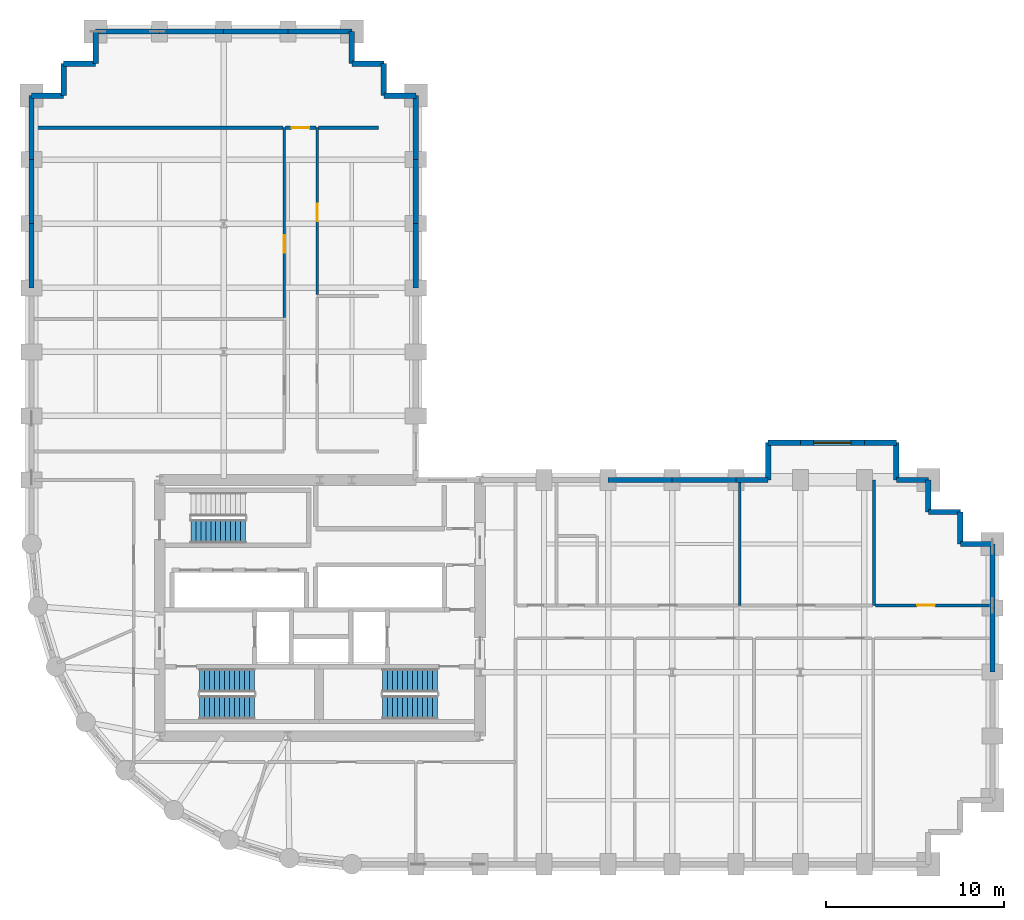
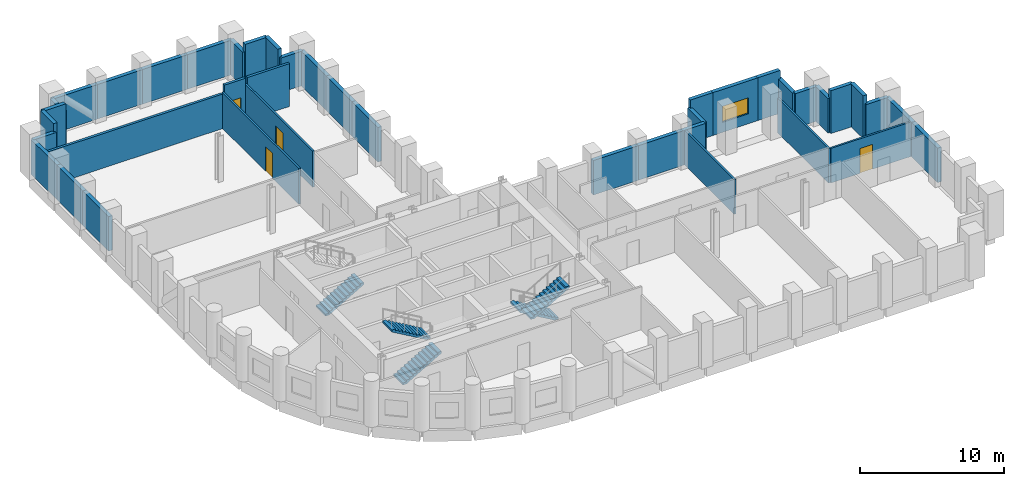
# One storey, part 6 of 8: 41 walls, 5 stair flights, 4 doors, 1 window, 5 openings, 3 elements without a shape of their own.
"""IFC4 building model written with IfcOpenShell, lengths in metres."""

from ifc_helpers import new_model, si_unit, direction, frame, frame_2d, origin, place, context, subcontext, project, spatial, polyline, rectangle, outline, extrude, material, layer, layer_set, type_object, element, fill, aggregate, save


model = new_model("IFC4")

# Units and contexts
model_context = context("Model", 3, precision=1e-05, world=origin(), true_north=direction((0.0, 1.0)))
body_context = subcontext(model_context, "Body", "Model", "MODEL_VIEW")
ifc_project = project(units=[si_unit("LENGTHUNIT", "METRE"), si_unit("AREAUNIT", "SQUARE_METRE"), si_unit("VOLUMEUNIT", "CUBIC_METRE"), si_unit("PLANEANGLEUNIT", "RADIAN"), si_unit("MASSUNIT", "GRAM", prefix="KILO")], contexts=[model_context])

# Site, building, storey
site_placement = place(None, origin())
site = spatial("IfcSite", under=ifc_project, at=site_placement, CompositionType="ELEMENT")
building_placement = place(site_placement, origin())
building = spatial("IfcBuilding", under=site, at=building_placement, Name="Solnavia Interchange Tower", CompositionType="ELEMENT")
storey_placement = place(building_placement, frame((0.0, 0.0, 43.5)))
storey = spatial("IfcBuildingStorey", under=building, at=storey_placement, Name="L10", CompositionType="ELEMENT", Elevation=43.5)

# Walls
ifc_material_1 = material(Name="Gypsum Acoustic Twin-Stud & Mineral Wool", Category="gypsum")
ifc_layer_1 = layer(ifc_material_1, 0.199951171875)
ifc_layer_set_1 = layer_set([ifc_layer_1], Name="Gypsum Acoustic Twin-Stud & Mineral Wool")
wall_type_1 = type_object("IfcWallType", Name="Wall-ApartmentParty-200", PredefinedType="PARTITIONING", material=ifc_layer_set_1)
wall_1_placement = place(storey_placement, frame((7.35400390625, 45.0, 0.0), z_axis=(0.0, 0.0, 1.0), x_axis=(1.0, 0.0, 0.0)))
element("IfcWall", 1, at=wall_1_placement, inside=storey, type_object=wall_type_1, Name="PTW-L10-38 Interior partition wall", PredefinedType="PARTITIONING", context=body_context, shape_type="SweptSolid", body=[
    extrude(rectangle(XDim=13.967041015625, YDim=0.199951171875, at=frame_2d((6.9833984375, 0.0))), origin(), (0.0, 0.0, 1.0), 2.929931640625),
])
wall_2_placement = place(storey_placement, frame((23.3291015625, 45.0, 0.0), z_axis=(0.0, 0.0, 1.0), x_axis=(1.0, 0.0, 0.0)))
element("IfcWall", 2, at=wall_2_placement, inside=storey, type_object=wall_type_1, Name="PTW-L10-39 Interior partition wall", PredefinedType="PARTITIONING", context=body_context, shape_type="SweptSolid", body=[
    extrude(rectangle(XDim=3.370849609375, YDim=0.199951171875, at=frame_2d((1.685546875, 0.0))), origin(), (0.0, 0.0, 1.0), 3.635009765625),
])

# Wall, opening, door
wall_3_placement = place(storey_placement, frame((21.47900390625, 45.0, 0.0), z_axis=(0.0, 0.0, 1.0), x_axis=(1.0, 0.0, 0.0)))
wall_3 = element("IfcWall", 3, at=wall_3_placement, inside=storey, type_object=wall_type_1, Name="PTW-L10-40 Interior partition wall", PredefinedType="PARTITIONING", context=body_context, shape_type="SweptSolid", body=[
    extrude(rectangle(XDim=1.69189453125, YDim=0.199951171875, at=frame_2d((0.845947265625, 0.0))), origin(), (0.0, 0.0, 1.0), 3.635009765625),
])
opening_1_placement = place(wall_3_placement, frame((0.339111328125, 0.0, 0.0)))
opening_1 = element("IfcOpeningElement", 4, at=opening_1_placement, cuts=wall_3, Name="Opening DR-06", PredefinedType="OPENING", context=body_context, shape_type="SweptSolid", body=[
    extrude(rectangle(XDim=1.0, YDim=2.10009765625, at=frame_2d((0.5, 1.050048828125))), frame((0.0, 0.10986328125, 0.0), z_axis=(0.0, -1.0, 0.0), x_axis=(1.0, 0.0, 0.0)), (0.0, 0.0, 1.0), 0.219970703125),
])
ifc_material_2 = material(Name="Engineered Timber Acoustic Fire Door", Category="wood")
door_type_1 = type_object("IfcDoorType", Name="Door-FlatEntry-1000x2100", OperationType="SINGLE_SWING_LEFT", PredefinedType="DOOR", material=ifc_material_2)
door_1_placement = place(opening_1_placement, origin())
door_1 = element("IfcDoor", 5, at=door_1_placement, inside=storey, type_object=door_type_1, Name="DR-L10-19 Interior room door", OperationType="SINGLE_SWING_LEFT", OverallHeight=2.10009765625, OverallWidth=1.0, PredefinedType="DOOR", context=body_context, shape_type="SweptSolid", body=[
    extrude(rectangle(XDim=1.0, YDim=2.10009765625, at=frame_2d((0.5, 1.050048828125))), frame((0.0, 0.02490234375, 0.0), z_axis=(0.0, -1.0, 0.0), x_axis=(1.0, 0.0, 0.0)), (0.0, 0.0, 1.0), 0.050048828125),
])
fill(opening_1, door_1)

# Walls
ifc_material_3 = material(Name="Concrete C40/50", Category="concrete")
ifc_layer_2 = layer(ifc_material_3, 0.300048828125)
ifc_layer_set_2 = layer_set([ifc_layer_2], Name="Concrete C40/50")
wall_type_2 = type_object("IfcWallType", Name="Wall-ExtSpandrel-300", PredefinedType="STANDARD", material=ifc_layer_set_2)
for number, where, z_axis, x_axis, name in (
    (6, (61.199951171875, 18.0, 0.0), (0.0, 0.0, 1.0), (0.0, -1.0, 0.0), "EXW-L10-16 Exterior precast spandrel wall"),
    (7, (61.199951171875, 21.60009765625, 0.0), (0.0, 0.0, 1.0), (0.0, -1.0, 0.0), "EXW-L10-17 Exterior precast spandrel wall"),
):
    element("IfcWall", number, at=place(storey_placement, frame(where, z_axis=z_axis, x_axis=x_axis)), inside=storey, type_object=wall_type_2, Name=name, PredefinedType="STANDARD", context=body_context, shape_type="SweptSolid", body=[
        extrude(rectangle(XDim=3.60009765625, YDim=0.300048828125, at=frame_2d((1.800048828125, 0.0))), origin(), (0.0, 0.0, 1.0), 2.929931640625),
    ])
wall_4_placement = place(storey_placement, frame((61.199951171875, 21.60009765625, 0.0), z_axis=(0.0, 0.0, 1.0), x_axis=(-1.0, 0.0, 0.0)))
element("IfcWall", 8, at=wall_4_placement, inside=storey, type_object=wall_type_2, Name="EXW-L10-18 Exterior precast spandrel wall", PredefinedType="STANDARD", context=body_context, shape_type="SweptSolid", body=[
    extrude(rectangle(XDim=1.800048828125, YDim=0.300048828125, at=frame_2d((0.89990234375, 0.0))), origin(), (0.0, 0.0, 1.0), 2.929931640625),
])
for number, where, z_axis, x_axis, name in (
    (9, (59.39990234375, 23.39990234375, 0.0), (0.0, 0.0, 1.0), (0.0, -1.0, 0.0), "EXW-L10-19 Exterior precast spandrel wall"),
    (10, (57.60009765625, 23.39990234375, 0.0), (0.0, 0.0, 1.0), (1.0, 0.0, 0.0), "EXW-L10-20 Exterior precast spandrel wall"),
):
    element("IfcWall", number, at=place(storey_placement, frame(where, z_axis=z_axis, x_axis=x_axis)), inside=storey, type_object=wall_type_2, Name=name, PredefinedType="STANDARD", context=body_context, shape_type="SweptSolid", body=[
        extrude(rectangle(XDim=1.7998046875, YDim=0.300048828125, at=frame_2d((0.89990234375, 0.0))), origin(), (0.0, 0.0, 1.0), 3.635009765625),
    ])
for number, where, z_axis, x_axis, name in (
    (11, (57.60009765625, 25.199951171875, 0.0), (0.0, 0.0, 1.0), (0.0, -1.0, 0.0), "EXW-L10-21 Exterior precast spandrel wall"),
    (12, (55.800048828125, 25.199951171875, 0.0), (0.0, 0.0, 1.0), (1.0, 0.0, 0.0), "EXW-L10-22 Exterior precast spandrel wall"),
):
    element("IfcWall", number, at=place(storey_placement, frame(where, z_axis=z_axis, x_axis=x_axis)), inside=storey, type_object=wall_type_2, Name=name, PredefinedType="STANDARD", context=body_context, shape_type="SweptSolid", body=[
        extrude(rectangle(XDim=1.800048828125, YDim=0.300048828125, at=frame_2d((0.89990234375, 0.0))), origin(), (0.0, 0.0, 1.0), 2.929931640625),
    ])
wall_5_placement = place(storey_placement, frame((55.800048828125, 27.300048828125, 0.0), z_axis=(0.0, 0.0, 1.0), x_axis=(0.0, -1.0, 0.0)))
element("IfcWall", 13, at=wall_5_placement, inside=storey, type_object=wall_type_2, Name="EXW-L10-23 Exterior precast spandrel wall", PredefinedType="STANDARD", context=body_context, shape_type="SweptSolid", body=[
    extrude(rectangle(XDim=2.10009765625, YDim=0.300048828125, at=frame_2d((1.050048828125, 0.0))), origin(), (0.0, 0.0, 1.0), 2.929931640625),
])
wall_6_placement = place(storey_placement, frame((54.0, 27.300048828125, 0.0), z_axis=(0.0, 0.0, 1.0), x_axis=(1.0, 0.0, 0.0)))
element("IfcWall", 14, at=wall_6_placement, inside=storey, type_object=wall_type_2, Name="EXW-L10-24 Exterior precast spandrel wall", PredefinedType="STANDARD", context=body_context, shape_type="SweptSolid", body=[
    extrude(rectangle(XDim=1.800048828125, YDim=0.300048828125, at=frame_2d((0.89990234375, 0.0))), origin(), (0.0, 0.0, 1.0), 3.635009765625),
])

# Wall, opening, window
wall_7_placement = place(storey_placement, frame((50.39990234375, 27.300048828125, 0.0), z_axis=(0.0, 0.0, 1.0), x_axis=(1.0, 0.0, 0.0)))
wall_7 = element("IfcWall", 15, at=wall_7_placement, inside=storey, type_object=wall_type_2, Name="EXW-L10-25 Exterior precast spandrel wall", PredefinedType="STANDARD", context=body_context, shape_type="SweptSolid", body=[
    extrude(rectangle(XDim=3.60009765625, YDim=0.300048828125, at=frame_2d((1.800048828125, 0.0))), origin(), (0.0, 0.0, 1.0), 3.635009765625),
])
opening_2_placement = place(wall_7_placement, frame((0.75, 0.0, 0.85009765625)))
opening_2 = element("IfcOpeningElement", 16, at=opening_2_placement, cuts=wall_7, Name="Opening WIN-01", PredefinedType="OPENING", context=body_context, shape_type="SweptSolid", body=[
    extrude(rectangle(XDim=2.10009765625, YDim=1.35009765625, at=frame_2d((1.050048828125, 0.675048828125))), frame((0.0, 0.16015625, 0.0), z_axis=(0.0, -1.0, 0.0), x_axis=(1.0, 0.0, 0.0)), (0.0, 0.0, 1.0), 0.320068359375),
])
ifc_material_4 = material(Name="Thermal-Break Aluminium & Low-E Glass", Category="aluminium")
window_type = type_object("IfcWindowType", Name="Window-Ribbon-2100x1350", PartitioningType="SINGLE_PANEL", PredefinedType="WINDOW", material=ifc_material_4)
window_placement = place(opening_2_placement, origin())
window = element("IfcWindow", 17, at=window_placement, inside=storey, type_object=window_type, Name="WIN-L10-25 Facade ribbon window", OverallHeight=1.35009765625, OverallWidth=2.10009765625, PartitioningType="SINGLE_PANEL", PredefinedType="WINDOW", context=body_context, shape_type="SweptSolid", body=[
    extrude(rectangle(XDim=2.10009765625, YDim=1.35009765625, at=frame_2d((1.050048828125, 0.675048828125))), frame((0.0, 0.030029296875, 0.0), z_axis=(0.0, -1.0, 0.0), x_axis=(1.0, 0.0, 0.0)), (0.0, 0.0, 1.0), 0.06005859375),
])
fill(opening_2, window)

# Walls
wall_8_placement = place(storey_placement, frame((48.60009765625, 27.300048828125, 0.0), z_axis=(0.0, 0.0, 1.0), x_axis=(1.0, 0.0, 0.0)))
element("IfcWall", 18, at=wall_8_placement, inside=storey, type_object=wall_type_2, Name="EXW-L10-26 Exterior precast spandrel wall", PredefinedType="STANDARD", context=body_context, shape_type="SweptSolid", body=[
    extrude(rectangle(XDim=1.7998046875, YDim=0.300048828125, at=frame_2d((0.89990234375, 0.0))), origin(), (0.0, 0.0, 1.0), 3.635009765625),
])
wall_9_placement = place(storey_placement, frame((48.60009765625, 27.300048828125, 0.0), z_axis=(0.0, 0.0, 1.0), x_axis=(0.0, -1.0, 0.0)))
element("IfcWall", 19, at=wall_9_placement, inside=storey, type_object=wall_type_2, Name="EXW-L10-27 Exterior precast spandrel wall", PredefinedType="STANDARD", context=body_context, shape_type="SweptSolid", body=[
    extrude(rectangle(XDim=2.10009765625, YDim=0.300048828125, at=frame_2d((1.050048828125, 0.0))), origin(), (0.0, 0.0, 1.0), 2.929931640625),
])
wall_10_placement = place(storey_placement, frame((46.800048828125, 25.199951171875, 0.0), z_axis=(0.0, 0.0, 1.0), x_axis=(1.0, 0.0, 0.0)))
element("IfcWall", 20, at=wall_10_placement, inside=storey, type_object=wall_type_2, Name="EXW-L10-28 Exterior precast spandrel wall", PredefinedType="STANDARD", context=body_context, shape_type="SweptSolid", body=[
    extrude(rectangle(XDim=1.800048828125, YDim=0.300048828125, at=frame_2d((0.89990234375, 0.0))), origin(), (0.0, 0.0, 1.0), 2.929931640625),
])
wall_11_placement = place(storey_placement, frame((43.199951171875, 25.199951171875, 0.0), z_axis=(0.0, 0.0, 1.0), x_axis=(1.0, 0.0, 0.0)))
element("IfcWall", 21, at=wall_11_placement, inside=storey, type_object=wall_type_2, Name="EXW-L10-29 Exterior precast spandrel wall", PredefinedType="STANDARD", context=body_context, shape_type="SweptSolid", body=[
    extrude(rectangle(XDim=3.60009765625, YDim=0.300048828125, at=frame_2d((1.800048828125, 0.0))), origin(), (0.0, 0.0, 1.0), 2.929931640625),
])
wall_12_placement = place(storey_placement, frame((39.60009765625, 25.199951171875, 0.0), z_axis=(0.0, 0.0, 1.0), x_axis=(1.0, 0.0, 0.0)))
element("IfcWall", 22, at=wall_12_placement, inside=storey, type_object=wall_type_2, Name="EXW-L10-30 Exterior precast spandrel wall", PredefinedType="STANDARD", context=body_context, shape_type="SweptSolid", body=[
    extrude(rectangle(XDim=3.599853515625, YDim=0.300048828125, at=frame_2d((1.7998046875, 0.0))), origin(), (0.0, 0.0, 1.0), 2.929931640625),
])
wall_13_placement = place(storey_placement, frame((28.800048828125, 36.0, 0.0), z_axis=(0.0, 0.0, 1.0), x_axis=(0.0, 1.0, 0.0)))
element("IfcWall", 23, at=wall_13_placement, inside=storey, type_object=wall_type_2, Name="EXW-L10-37 Exterior precast spandrel wall", PredefinedType="STANDARD", context=body_context, shape_type="SweptSolid", body=[
    extrude(rectangle(XDim=3.60009765625, YDim=0.300048828125, at=frame_2d((1.800048828125, 0.0))), origin(), (0.0, 0.0, 1.0), 2.929931640625),
])
wall_14_placement = place(storey_placement, frame((28.800048828125, 39.60009765625, 0.0), z_axis=(0.0, 0.0, 1.0), x_axis=(0.0, 1.0, 0.0)))
element("IfcWall", 24, at=wall_14_placement, inside=storey, type_object=wall_type_2, Name="EXW-L10-38 Exterior precast spandrel wall", PredefinedType="STANDARD", context=body_context, shape_type="SweptSolid", body=[
    extrude(rectangle(XDim=3.599853515625, YDim=0.300048828125, at=frame_2d((1.7998046875, 0.0))), origin(), (0.0, 0.0, 1.0), 2.929931640625),
])
wall_15_placement = place(storey_placement, frame((28.800048828125, 43.199951171875, 0.0), z_axis=(0.0, 0.0, 1.0), x_axis=(0.0, 1.0, 0.0)))
element("IfcWall", 25, at=wall_15_placement, inside=storey, type_object=wall_type_2, Name="EXW-L10-39 Exterior precast spandrel wall", PredefinedType="STANDARD", context=body_context, shape_type="SweptSolid", body=[
    extrude(rectangle(XDim=3.60009765625, YDim=0.300048828125, at=frame_2d((1.800048828125, 0.0))), origin(), (0.0, 0.0, 1.0), 2.929931640625),
])
wall_16_placement = place(storey_placement, frame((27.0, 46.800048828125, 0.0), z_axis=(0.0, 0.0, 1.0), x_axis=(1.0, 0.0, 0.0)))
element("IfcWall", 26, at=wall_16_placement, inside=storey, type_object=wall_type_2, Name="EXW-L10-40 Exterior precast spandrel wall", PredefinedType="STANDARD", context=body_context, shape_type="SweptSolid", body=[
    extrude(rectangle(XDim=1.800048828125, YDim=0.300048828125, at=frame_2d((0.89990234375, 0.0))), origin(), (0.0, 0.0, 1.0), 2.929931640625),
])
for number, where, z_axis, x_axis, name in (
    (27, (27.0, 46.800048828125, 0.0), (0.0, 0.0, 1.0), (0.0, 1.0, 0.0), "EXW-L10-41 Exterior precast spandrel wall"),
    (28, (25.199951171875, 48.60009765625, 0.0), (0.0, 0.0, 1.0), (1.0, 0.0, 0.0), "EXW-L10-42 Exterior precast spandrel wall"),
):
    element("IfcWall", number, at=place(storey_placement, frame(where, z_axis=z_axis, x_axis=x_axis)), inside=storey, type_object=wall_type_2, Name=name, PredefinedType="STANDARD", context=body_context, shape_type="SweptSolid", body=[
        extrude(rectangle(XDim=1.800048828125, YDim=0.300048828125, at=frame_2d((0.89990234375, 0.0))), origin(), (0.0, 0.0, 1.0), 3.635009765625),
    ])
wall_17_placement = place(storey_placement, frame((25.199951171875, 48.60009765625, 0.0), z_axis=(0.0, 0.0, 1.0), x_axis=(0.0, 1.0, 0.0)))
element("IfcWall", 29, at=wall_17_placement, inside=storey, type_object=wall_type_2, Name="EXW-L10-43 Exterior precast spandrel wall", PredefinedType="STANDARD", context=body_context, shape_type="SweptSolid", body=[
    extrude(rectangle(XDim=1.7998046875, YDim=0.300048828125, at=frame_2d((0.89990234375, 0.0))), origin(), (0.0, 0.0, 1.0), 2.929931640625),
])
wall_18_placement = place(storey_placement, frame((21.60009765625, 50.39990234375, 0.0), z_axis=(0.0, 0.0, 1.0), x_axis=(1.0, 0.0, 0.0)))
element("IfcWall", 30, at=wall_18_placement, inside=storey, type_object=wall_type_2, Name="EXW-L10-44 Exterior precast spandrel wall", PredefinedType="STANDARD", context=body_context, shape_type="SweptSolid", body=[
    extrude(rectangle(XDim=3.599853515625, YDim=0.300048828125, at=frame_2d((1.7998046875, 0.0))), origin(), (0.0, 0.0, 1.0), 2.929931640625),
])
for number, where, z_axis, x_axis, name in (
    (31, (18.0, 50.39990234375, 0.0), (0.0, 0.0, 1.0), (1.0, 0.0, 0.0), "EXW-L10-45 Exterior precast spandrel wall"),
    (32, (14.39990234375, 50.39990234375, 0.0), (0.0, 0.0, 1.0), (1.0, 0.0, 0.0), "EXW-L10-46 Exterior precast spandrel wall"),
):
    element("IfcWall", number, at=place(storey_placement, frame(where, z_axis=z_axis, x_axis=x_axis)), inside=storey, type_object=wall_type_2, Name=name, PredefinedType="STANDARD", context=body_context, shape_type="SweptSolid", body=[
        extrude(rectangle(XDim=3.60009765625, YDim=0.300048828125, at=frame_2d((1.800048828125, 0.0))), origin(), (0.0, 0.0, 1.0), 2.929931640625),
    ])
wall_19_placement = place(storey_placement, frame((10.800048828125, 50.39990234375, 0.0), z_axis=(0.0, 0.0, 1.0), x_axis=(1.0, 0.0, 0.0)))
element("IfcWall", 33, at=wall_19_placement, inside=storey, type_object=wall_type_2, Name="EXW-L10-47 Exterior precast spandrel wall", PredefinedType="STANDARD", context=body_context, shape_type="SweptSolid", body=[
    extrude(rectangle(XDim=3.599853515625, YDim=0.300048828125, at=frame_2d((1.7998046875, 0.0))), origin(), (0.0, 0.0, 1.0), 2.929931640625),
])
wall_20_placement = place(storey_placement, frame((10.800048828125, 48.60009765625, 0.0), z_axis=(0.0, 0.0, 1.0), x_axis=(0.0, 1.0, 0.0)))
element("IfcWall", 34, at=wall_20_placement, inside=storey, type_object=wall_type_2, Name="EXW-L10-48 Exterior precast spandrel wall", PredefinedType="STANDARD", context=body_context, shape_type="SweptSolid", body=[
    extrude(rectangle(XDim=1.7998046875, YDim=0.300048828125, at=frame_2d((0.89990234375, 0.0))), origin(), (0.0, 0.0, 1.0), 2.929931640625),
])
for number, where, z_axis, x_axis, name in (
    (35, (9.0, 48.60009765625, 0.0), (0.0, 0.0, 1.0), (1.0, 0.0, 0.0), "EXW-L10-49 Exterior precast spandrel wall"),
    (36, (9.0, 46.800048828125, 0.0), (0.0, 0.0, 1.0), (0.0, 1.0, 0.0), "EXW-L10-50 Exterior precast spandrel wall"),
):
    element("IfcWall", number, at=place(storey_placement, frame(where, z_axis=z_axis, x_axis=x_axis)), inside=storey, type_object=wall_type_2, Name=name, PredefinedType="STANDARD", context=body_context, shape_type="SweptSolid", body=[
        extrude(rectangle(XDim=1.800048828125, YDim=0.300048828125, at=frame_2d((0.89990234375, 0.0))), origin(), (0.0, 0.0, 1.0), 3.635009765625),
    ])
wall_21_placement = place(storey_placement, frame((7.199951171875, 46.800048828125, 0.0), z_axis=(0.0, 0.0, 1.0), x_axis=(1.0, 0.0, 0.0)))
element("IfcWall", 37, at=wall_21_placement, inside=storey, type_object=wall_type_2, Name="EXW-L10-51 Exterior precast spandrel wall", PredefinedType="STANDARD", context=body_context, shape_type="SweptSolid", body=[
    extrude(rectangle(XDim=1.800048828125, YDim=0.300048828125, at=frame_2d((0.89990234375, 0.0))), origin(), (0.0, 0.0, 1.0), 2.929931640625),
])
wall_22_placement = place(storey_placement, frame((7.199951171875, 43.199951171875, 0.0), z_axis=(0.0, 0.0, 1.0), x_axis=(0.0, 1.0, 0.0)))
element("IfcWall", 38, at=wall_22_placement, inside=storey, type_object=wall_type_2, Name="EXW-L10-52 Exterior precast spandrel wall", PredefinedType="STANDARD", context=body_context, shape_type="SweptSolid", body=[
    extrude(rectangle(XDim=3.60009765625, YDim=0.300048828125, at=frame_2d((1.800048828125, 0.0))), origin(), (0.0, 0.0, 1.0), 2.929931640625),
])
wall_23_placement = place(storey_placement, frame((7.199951171875, 39.60009765625, 0.0), z_axis=(0.0, 0.0, 1.0), x_axis=(0.0, 1.0, 0.0)))
element("IfcWall", 39, at=wall_23_placement, inside=storey, type_object=wall_type_2, Name="EXW-L10-53 Exterior precast spandrel wall", PredefinedType="STANDARD", context=body_context, shape_type="SweptSolid", body=[
    extrude(rectangle(XDim=3.599853515625, YDim=0.300048828125, at=frame_2d((1.7998046875, 0.0))), origin(), (0.0, 0.0, 1.0), 2.929931640625),
])
wall_24_placement = place(storey_placement, frame((7.199951171875, 36.0, 0.0), z_axis=(0.0, 0.0, 1.0), x_axis=(0.0, 1.0, 0.0)))
element("IfcWall", 40, at=wall_24_placement, inside=storey, type_object=wall_type_2, Name="EXW-L10-54 Exterior precast spandrel wall", PredefinedType="STANDARD", context=body_context, shape_type="SweptSolid", body=[
    extrude(rectangle(XDim=3.60009765625, YDim=0.300048828125, at=frame_2d((1.800048828125, 0.0))), origin(), (0.0, 0.0, 1.0), 2.929931640625),
])
ifc_material_5 = material(Name="Gypsum Plasterboard & Steel Stud", Category="steel")
ifc_layer_3 = layer(ifc_material_5, 0.14990234375)
ifc_layer_set_3 = layer_set([ifc_layer_3], Name="Gypsum Plasterboard & Steel Stud")
wall_type_3 = type_object("IfcWallType", Name="Wall-Partition-150", PredefinedType="PARTITIONING", material=ifc_layer_set_3)
wall_25_placement = place(storey_placement, frame((46.989990234375, 18.14990234375, 0.0), z_axis=(0.0, 0.0, 1.0), x_axis=(0.0, 1.0, 0.0)))
element("IfcWall", 41, at=wall_25_placement, inside=storey, type_object=wall_type_3, Name="PTW-L10-25 Interior partition wall", PredefinedType="PARTITIONING", context=body_context, shape_type="SweptSolid", body=[
    extrude(rectangle(XDim=6.89599609375, YDim=0.14990234375, at=frame_2d((3.447998046875, 0.0))), origin(), (0.0, 0.0, 1.0), 2.929931640625),
])
wall_26_placement = place(storey_placement, frame((54.5400390625, 18.14990234375, 0.0), z_axis=(0.0, 0.0, 1.0), x_axis=(0.0, 1.0, 0.0)))
element("IfcWall", 42, at=wall_26_placement, inside=storey, type_object=wall_type_3, Name="PTW-L10-27 Interior partition wall", PredefinedType="PARTITIONING", context=body_context, shape_type="SweptSolid", body=[
    extrude(rectangle(XDim=7.050048828125, YDim=0.14990234375, at=frame_2d((3.52490234375, 0.0))), origin(), (0.0, 0.0, 1.0), 2.929931640625),
])

# Wall, opening, door
wall_27_placement = place(storey_placement, frame((54.618896484375, 18.14990234375, 0.0), z_axis=(0.0, 0.0, 1.0), x_axis=(1.0, 0.0, 0.0)))
wall_27 = element("IfcWall", 43, at=wall_27_placement, inside=storey, type_object=wall_type_3, Name="PTW-L10-29 Interior partition wall", PredefinedType="PARTITIONING", context=body_context, shape_type="SweptSolid", body=[
    extrude(rectangle(XDim=6.427001953125, YDim=0.14990234375, at=frame_2d((3.21337890625, 0.0))), origin(), (0.0, 0.0, 1.0), 2.929931640625),
])
opening_3_placement = place(wall_27_placement, frame((2.35302734375, 0.0, 0.0)))
opening_3 = element("IfcOpeningElement", 44, at=opening_3_placement, cuts=wall_27, Name="Opening DR-07", PredefinedType="OPENING", context=body_context, shape_type="SweptSolid", body=[
    extrude(rectangle(XDim=1.0, YDim=2.10009765625, at=frame_2d((0.5, 1.050048828125))), frame((0.0, 0.0849609375, 0.0), z_axis=(0.0, -1.0, 0.0), x_axis=(1.0, 0.0, 0.0)), (0.0, 0.0, 1.0), 0.169921875),
])
ifc_material_6 = material(Name="Timber & Acoustic Glazed Office Door", Category="wood")
door_type_2 = type_object("IfcDoorType", Name="Door-Office-1000x2100", OperationType="SINGLE_SWING_RIGHT", PredefinedType="DOOR", material=ifc_material_6)
door_2_placement = place(opening_3_placement, origin())
door_2 = element("IfcDoor", 45, at=door_2_placement, inside=storey, type_object=door_type_2, Name="DR-L10-14 Interior room door", OperationType="SINGLE_SWING_RIGHT", OverallHeight=2.10009765625, OverallWidth=1.0, PredefinedType="DOOR", context=body_context, shape_type="SweptSolid", body=[
    extrude(rectangle(XDim=1.0, YDim=2.10009765625, at=frame_2d((0.5, 1.050048828125))), frame((0.0, 0.02490234375, 0.0), z_axis=(0.0, -1.0, 0.0), x_axis=(1.0, 0.0, 0.0)), (0.0, 0.0, 1.0), 0.050048828125),
])
fill(opening_3, door_2)

wall_28_placement = place(storey_placement, frame((21.39990234375, 34.3291015625, 0.0), z_axis=(0.0, 0.0, 1.0), x_axis=(0.0, 1.0, 0.0)))
wall_28 = element("IfcWall", 46, at=wall_28_placement, inside=storey, type_object=wall_type_3, Name="PTW-L10-33 Interior partition wall", PredefinedType="PARTITIONING", context=body_context, shape_type="SweptSolid", body=[
    extrude(rectangle(XDim=10.6708984375, YDim=0.14990234375, at=frame_2d((5.33544921875, 0.0))), origin(), (0.0, 0.0, 1.0), 3.030029296875),
])
opening_4_placement = place(wall_28_placement, frame((3.636962890625, 0.0, 0.0)))
opening_4 = element("IfcOpeningElement", 47, at=opening_4_placement, cuts=wall_28, Name="Opening DR-07", PredefinedType="OPENING", context=body_context, shape_type="SweptSolid", body=[
    extrude(rectangle(XDim=1.0, YDim=2.10009765625, at=frame_2d((0.5, 1.050048828125))), frame((0.0, 0.0849609375, 0.0), z_axis=(0.0, -1.0, 0.0), x_axis=(1.0, 0.0, 0.0)), (0.0, 0.0, 1.0), 0.169921875),
])
door_3_placement = place(opening_4_placement, origin())
door_3 = element("IfcDoor", 48, at=door_3_placement, inside=storey, type_object=door_type_2, Name="DR-L10-16 Interior room door", OperationType="SINGLE_SWING_RIGHT", OverallHeight=2.10009765625, OverallWidth=1.0, PredefinedType="DOOR", context=body_context, shape_type="SweptSolid", body=[
    extrude(rectangle(XDim=1.0, YDim=2.10009765625, at=frame_2d((0.5, 1.050048828125))), frame((0.0, 0.02490234375, 0.0), z_axis=(0.0, -1.0, 0.0), x_axis=(1.0, 0.0, 0.0)), (0.0, 0.0, 1.0), 0.050048828125),
])
fill(opening_4, door_3)

wall_29_placement = place(storey_placement, frame((23.25, 35.618896484375, 0.0), z_axis=(0.0, 0.0, 1.0), x_axis=(0.0, 1.0, 0.0)))
wall_29 = element("IfcWall", 49, at=wall_29_placement, inside=storey, type_object=wall_type_3, Name="PTW-L10-37 Interior partition wall", PredefinedType="PARTITIONING", context=body_context, shape_type="SweptSolid", body=[
    extrude(rectangle(XDim=9.381103515625, YDim=0.14990234375, at=frame_2d((4.6904296875, 0.0))), origin(), (0.0, 0.0, 1.0), 3.080078125),
])
opening_5_placement = place(wall_29_placement, frame((4.111083984375, 0.0, 0.0)))
opening_5 = element("IfcOpeningElement", 50, at=opening_5_placement, cuts=wall_29, Name="Opening DR-07", PredefinedType="OPENING", context=body_context, shape_type="SweptSolid", body=[
    extrude(rectangle(XDim=1.0, YDim=2.10009765625, at=frame_2d((0.5, 1.050048828125))), frame((0.0, 0.0849609375, 0.0), z_axis=(0.0, -1.0, 0.0), x_axis=(1.0, 0.0, 0.0)), (0.0, 0.0, 1.0), 0.169921875),
])
door_4_placement = place(opening_5_placement, origin())
door_4 = element("IfcDoor", 51, at=door_4_placement, inside=storey, type_object=door_type_2, Name="DR-L10-18 Interior room door", OperationType="SINGLE_SWING_LEFT", OverallHeight=2.10009765625, OverallWidth=1.0, PredefinedType="DOOR", context=body_context, shape_type="SweptSolid", body=[
    extrude(rectangle(XDim=1.0, YDim=2.10009765625, at=frame_2d((0.5, 1.050048828125))), frame((0.0, 0.02490234375, 0.0), z_axis=(0.0, -1.0, 0.0), x_axis=(1.0, 0.0, 0.0)), (0.0, 0.0, 1.0), 0.050048828125),
])
fill(opening_5, door_4)

# Stair, stair flights
stair_type = type_object("IfcStairType", Name="Stair-Dogleg-RC", PredefinedType="HALF_TURN_STAIR", material=ifc_material_3)
stair_1_placement = place(storey_placement, origin())
stair_1 = element("IfcStair", 52, at=stair_1_placement, inside=storey, type_object=stair_type, Name="L10 Core exit stair 1", PredefinedType="HALF_TURN_STAIR")
stair_flight_type = type_object("IfcStairFlightType", Name="StairFlight-RC-150", PredefinedType="STRAIGHT", material=ifc_material_3)
stair_flight_1_placement = place(storey_placement, frame((16.64990234375, 12.409912109375, 0.0), z_axis=(0.0, 0.0, 1.0), x_axis=(1.0, 0.0, 0.0)))
stair_flight_1 = element("IfcStairFlight", 53, at=stair_flight_1_placement, type_object=stair_flight_type, Name="ST-1 flight 1", NumberOfRisers=12, NumberOfTreads=11, PredefinedType="STRAIGHT", RiserHeight=0.1625, TreadLength=0.28, context=body_context, shape_type="SweptSolid", body=[
    extrude(outline(polyline([(0.0, 0.0), (0.0, 0.16259765625), (0.280029296875, 0.16259765625), (0.280029296875, 0.324951171875), (0.56005859375, 0.324951171875), (0.56005859375, 0.487548828125), (0.840087890625, 0.487548828125), (0.840087890625, 0.64990234375), (1.1201171875, 0.64990234375), (1.1201171875, 0.8125), (1.39990234375, 0.8125), (1.39990234375, 0.97509765625), (1.679931640625, 0.97509765625), (1.679931640625, 1.137451171875), (1.9599609375, 1.137451171875), (1.9599609375, 1.300048828125), (2.239990234375, 1.300048828125), (2.239990234375, 1.46240234375), (2.52001953125, 1.46240234375), (2.52001953125, 1.625), (2.800048828125, 1.625), (2.800048828125, 1.78759765625), (3.080078125, 1.78759765625), (3.080078125, 1.949951171875), (3.080078125, 1.6142578125), (0.298583984375, 0.0), (0.0, 0.0)])), frame((0.0, 0.66015625, 0.0), z_axis=(0.0, -1.0, 0.0), x_axis=(1.0, 0.0, 0.0)), (0.0, 0.0, 1.0), 1.320068359375),
])
stair_flight_2_placement = place(storey_placement, frame((19.72998046875, 13.929931640625, 1.949951171875), z_axis=(0.0, 0.0, 1.0), x_axis=(-1.0, 0.0, 0.0)))
stair_flight_2 = element("IfcStairFlight", 54, at=stair_flight_2_placement, type_object=stair_flight_type, Name="ST-1 flight 2", NumberOfRisers=12, NumberOfTreads=11, PredefinedType="STRAIGHT", RiserHeight=0.1625, TreadLength=0.28, context=body_context, shape_type="SweptSolid", body=[
    extrude(outline(polyline([(0.0, 0.0), (0.0, 0.16259765625), (0.280029296875, 0.16259765625), (0.280029296875, 0.324951171875), (0.56005859375, 0.324951171875), (0.56005859375, 0.487548828125), (0.840087890625, 0.487548828125), (0.840087890625, 0.64990234375), (1.1201171875, 0.64990234375), (1.1201171875, 0.8125), (1.39990234375, 0.8125), (1.39990234375, 0.97509765625), (1.679931640625, 0.97509765625), (1.679931640625, 1.137451171875), (1.9599609375, 1.137451171875), (1.9599609375, 1.300048828125), (2.239990234375, 1.300048828125), (2.239990234375, 1.46240234375), (2.52001953125, 1.46240234375), (2.52001953125, 1.625), (2.800048828125, 1.625), (2.800048828125, 1.78759765625), (3.080078125, 1.78759765625), (3.080078125, 1.949951171875), (3.080078125, 1.6142578125), (0.298583984375, 0.0), (0.0, 0.0)])), frame((0.0, 0.66015625, 0.0), z_axis=(0.0, -1.0, 0.0), x_axis=(1.0, 0.0, 0.0)), (0.0, 0.0, 1.0), 1.320068359375),
])
aggregate(stair_1, [stair_flight_1, stair_flight_2])

stair_2_placement = place(storey_placement, origin())
stair_2 = element("IfcStair", 55, at=stair_2_placement, inside=storey, type_object=stair_type, Name="L10 Core exit stair 2", PredefinedType="HALF_TURN_STAIR")
stair_flight_3_placement = place(storey_placement, frame((30.0, 13.929931640625, 0.0), z_axis=(0.0, 0.0, 1.0), x_axis=(-1.0, 0.0, 0.0)))
stair_flight_3 = element("IfcStairFlight", 56, at=stair_flight_3_placement, type_object=stair_flight_type, Name="ST-2 flight 1", NumberOfRisers=12, NumberOfTreads=11, PredefinedType="STRAIGHT", RiserHeight=0.1625, TreadLength=0.28, context=body_context, shape_type="SweptSolid", body=[
    extrude(outline(polyline([(0.0, 0.0), (0.0, 0.16259765625), (0.280029296875, 0.16259765625), (0.280029296875, 0.324951171875), (0.56005859375, 0.324951171875), (0.56005859375, 0.487548828125), (0.840087890625, 0.487548828125), (0.840087890625, 0.64990234375), (1.1201171875, 0.64990234375), (1.1201171875, 0.8125), (1.39990234375, 0.8125), (1.39990234375, 0.97509765625), (1.679931640625, 0.97509765625), (1.679931640625, 1.137451171875), (1.9599609375, 1.137451171875), (1.9599609375, 1.300048828125), (2.239990234375, 1.300048828125), (2.239990234375, 1.46240234375), (2.52001953125, 1.46240234375), (2.52001953125, 1.625), (2.800048828125, 1.625), (2.800048828125, 1.78759765625), (3.080078125, 1.78759765625), (3.080078125, 1.949951171875), (3.080078125, 1.6142578125), (0.298583984375, 0.0), (0.0, 0.0)])), frame((0.0, 0.66015625, 0.0), z_axis=(0.0, -1.0, 0.0), x_axis=(1.0, 0.0, 0.0)), (0.0, 0.0, 1.0), 1.320068359375),
])
stair_flight_4_placement = place(storey_placement, frame((26.919921875, 12.409912109375, 1.949951171875), z_axis=(0.0, 0.0, 1.0), x_axis=(1.0, 0.0, 0.0)))
stair_flight_4 = element("IfcStairFlight", 57, at=stair_flight_4_placement, type_object=stair_flight_type, Name="ST-2 flight 2", NumberOfRisers=12, NumberOfTreads=11, PredefinedType="STRAIGHT", RiserHeight=0.1625, TreadLength=0.28, context=body_context, shape_type="SweptSolid", body=[
    extrude(outline(polyline([(0.0, 0.0), (0.0, 0.16259765625), (0.280029296875, 0.16259765625), (0.280029296875, 0.324951171875), (0.56005859375, 0.324951171875), (0.56005859375, 0.487548828125), (0.840087890625, 0.487548828125), (0.840087890625, 0.64990234375), (1.1201171875, 0.64990234375), (1.1201171875, 0.8125), (1.39990234375, 0.8125), (1.39990234375, 0.97509765625), (1.679931640625, 0.97509765625), (1.679931640625, 1.137451171875), (1.9599609375, 1.137451171875), (1.9599609375, 1.300048828125), (2.239990234375, 1.300048828125), (2.239990234375, 1.46240234375), (2.52001953125, 1.46240234375), (2.52001953125, 1.625), (2.800048828125, 1.625), (2.800048828125, 1.78759765625), (3.080078125, 1.78759765625), (3.080078125, 1.949951171875), (3.080078125, 1.6142578125), (0.298583984375, 0.0), (0.0, 0.0)])), frame((0.0, 0.66015625, 0.0), z_axis=(0.0, -1.0, 0.0), x_axis=(1.0, 0.0, 0.0)), (0.0, 0.0, 1.0), 1.320068359375),
])
aggregate(stair_2, [stair_flight_3, stair_flight_4])

# Stair, stair flight
stair_3_placement = place(storey_placement, origin())
stair_3 = element("IfcStair", 58, at=stair_3_placement, inside=storey, type_object=stair_type, Name="L10 Core exit stair 3", PredefinedType="HALF_TURN_STAIR")
stair_flight_5_placement = place(storey_placement, frame((16.14990234375, 22.31005859375, 0.0), z_axis=(0.0, 0.0, 1.0), x_axis=(1.0, 0.0, 0.0)))
stair_flight_5 = element("IfcStairFlight", 59, at=stair_flight_5_placement, type_object=stair_flight_type, Name="ST-3 flight 1", NumberOfRisers=12, NumberOfTreads=11, PredefinedType="STRAIGHT", RiserHeight=0.1625, TreadLength=0.28, context=body_context, shape_type="SweptSolid", body=[
    extrude(outline(polyline([(0.0, 0.0), (0.0, 0.16259765625), (0.280029296875, 0.16259765625), (0.280029296875, 0.324951171875), (0.56005859375, 0.324951171875), (0.56005859375, 0.487548828125), (0.840087890625, 0.487548828125), (0.840087890625, 0.64990234375), (1.1201171875, 0.64990234375), (1.1201171875, 0.8125), (1.39990234375, 0.8125), (1.39990234375, 0.97509765625), (1.679931640625, 0.97509765625), (1.679931640625, 1.137451171875), (1.9599609375, 1.137451171875), (1.9599609375, 1.300048828125), (2.239990234375, 1.300048828125), (2.239990234375, 1.46240234375), (2.52001953125, 1.46240234375), (2.52001953125, 1.625), (2.800048828125, 1.625), (2.800048828125, 1.78759765625), (3.080078125, 1.78759765625), (3.080078125, 1.949951171875), (3.080078125, 1.6142578125), (0.298583984375, 0.0), (0.0, 0.0)])), frame((0.0, 0.66015625, 0.0), z_axis=(0.0, -1.0, 0.0), x_axis=(1.0, 0.0, 0.0)), (0.0, 0.0, 1.0), 1.320068359375),
])
aggregate(stair_3, [stair_flight_5])

save(model, "model.ifc")
